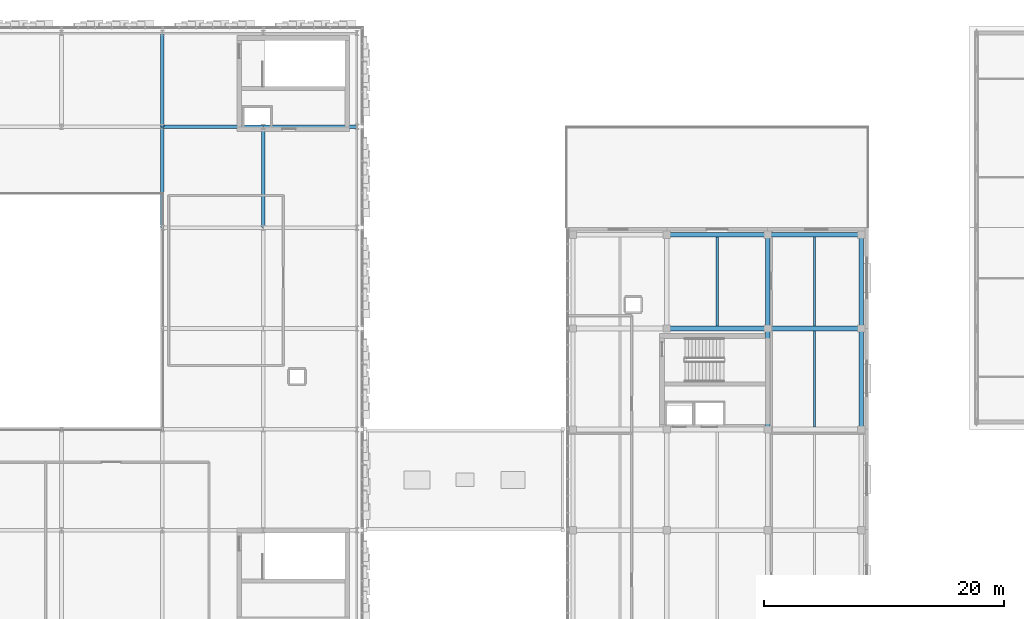
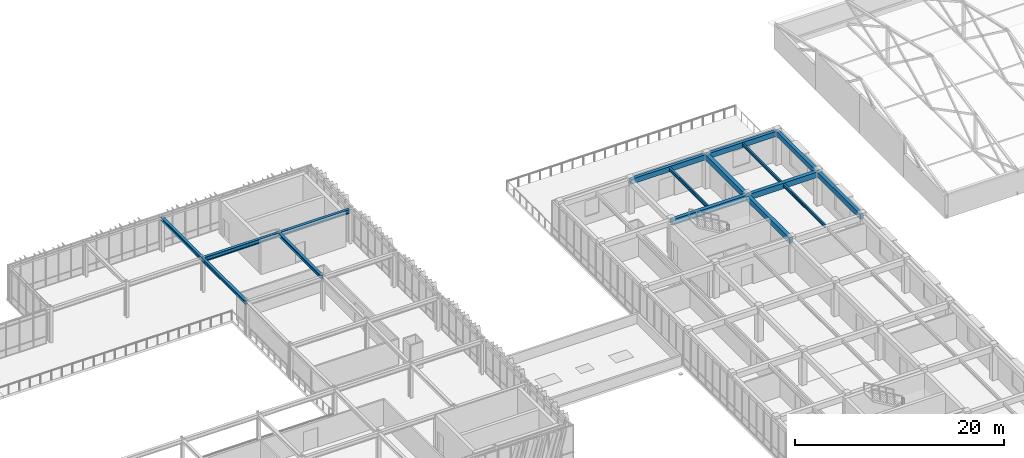
# One storey, part 61 of 123: 16 beams.
"""IFC4 building model written with IfcOpenShell, lengths in metres."""

from ifc_helpers import new_model, si_unit, direction, frame, origin, origin_2d, place, context, subcontext, project, spatial, rectangle, i_section, extrude, material, material_profile, profile_set, type_object, element, save


model = new_model("IFC4")

# Units and contexts
model_context = context("Model", 3, precision=1e-05, world=origin(), true_north=direction((0.0, 1.0)))
body_context = subcontext(model_context, "Body", "Model", "MODEL_VIEW")
ifc_project = project(units=[si_unit("LENGTHUNIT", "METRE"), si_unit("AREAUNIT", "SQUARE_METRE"), si_unit("VOLUMEUNIT", "CUBIC_METRE"), si_unit("PLANEANGLEUNIT", "RADIAN"), si_unit("MASSUNIT", "GRAM", prefix="KILO")], contexts=[model_context])

# Site, building, storey
site_placement = place(None, origin())
site = spatial("IfcSite", under=ifc_project, at=site_placement, CompositionType="ELEMENT")
building_placement = place(site_placement, origin())
building = spatial("IfcBuilding", under=site, at=building_placement, Name="Zayran Congress Hotel", CompositionType="ELEMENT")
storey_placement = place(building_placement, frame((0.0, 0.0, 15.0)))
storey = spatial("IfcBuildingStorey", under=building, at=storey_placement, Name="L03", CompositionType="ELEMENT", Elevation=15.0)

# Beams
ifc_material_1 = material(Name="Concrete C40/50", Category="concrete")
ifc_material_profile_1 = material_profile(ifc_material_1, rectangle(XDim=0.39990234375, YDim=0.64990234375, at=origin_2d()), Name="RC 400x650")
ifc_profile_set_1 = profile_set([ifc_material_profile_1], Name="Concrete C40/50")
beam_type_1 = type_object("IfcBeamType", Name="TP-BM-03", PredefinedType="BEAM", material=ifc_profile_set_1)
beam_1_placement = place(storey_placement, frame((117.60009765625, 92.800048828125, 3.594970703125), z_axis=(1.0, 0.0, 0.0), x_axis=(0.0, 1.0, 0.0)))
element("IfcBeam", 1, at=beam_1_placement, inside=storey, type_object=beam_type_1, Name="BM-V4-L03-1510", PredefinedType="BEAM", context=body_context, shape_type="SweptSolid", body=[
    extrude(rectangle(XDim=0.39990234375, YDim=0.64990234375, at=origin_2d()), origin(), (0.0, 0.0, 1.0), 8.39990234375),
])
beam_2_placement = place(storey_placement, frame((126.0, 92.800048828125, 3.594970703125), z_axis=(1.0, 0.0, 0.0), x_axis=(0.0, 1.0, 0.0)))
element("IfcBeam", 2, at=beam_2_placement, inside=storey, type_object=beam_type_1, Name="BM-V4-L03-1511", PredefinedType="BEAM", context=body_context, shape_type="SweptSolid", body=[
    extrude(rectangle(XDim=0.39990234375, YDim=0.64990234375, at=origin_2d()), origin(), (0.0, 0.0, 1.0), 7.800048828125),
])
beam_3_placement = place(storey_placement, frame((126.0, 84.39990234375, 3.594970703125), z_axis=(0.0, 1.0, 0.0), x_axis=(-1.0, 0.0, 0.0)))
element("IfcBeam", 3, at=beam_3_placement, inside=storey, type_object=beam_type_1, Name="BM-V4-L03-1532", PredefinedType="BEAM", context=body_context, shape_type="SweptSolid", body=[
    extrude(rectangle(XDim=0.39990234375, YDim=0.64990234375, at=origin_2d()), origin(), (0.0, 0.0, 1.0), 8.400146484375),
])
beam_4_placement = place(storey_placement, frame((126.0, 92.800048828125, 3.594970703125), z_axis=(0.0, 1.0, 0.0), x_axis=(-1.0, 0.0, 0.0)))
element("IfcBeam", 4, at=beam_4_placement, inside=storey, type_object=beam_type_1, Name="BM-V4-L03-1533", PredefinedType="BEAM", context=body_context, shape_type="SweptSolid", body=[
    extrude(rectangle(XDim=0.39990234375, YDim=0.64990234375, at=origin_2d()), origin(), (0.0, 0.0, 1.0), 7.800048828125),
])
ifc_material_profile_2 = material_profile(ifc_material_1, rectangle(XDim=0.35009765625, YDim=0.60009765625, at=origin_2d()), Name="RC 350x600")
ifc_profile_set_2 = profile_set([ifc_material_profile_2], Name="Concrete C40/50")
beam_type_2 = type_object("IfcBeamType", Name="TP-SP-01", PredefinedType="SPANDREL", material=ifc_profile_set_2)
beam_5_placement = place(storey_placement, frame((117.60009765625, 100.60009765625, 3.6201171875), z_axis=(1.0, 0.0, 0.0), x_axis=(0.0, 1.0, 0.0)))
element("IfcBeam", 5, at=beam_5_placement, inside=storey, type_object=beam_type_2, Name="BM-V4-L03-1513", PredefinedType="SPANDREL", context=body_context, shape_type="SweptSolid", body=[
    extrude(rectangle(XDim=0.35009765625, YDim=0.60009765625, at=origin_2d()), origin(), (0.0, 0.0, 1.0), 8.39990234375),
])
beam_6_placement = place(storey_placement, frame((126.0, 100.60009765625, 3.6201171875), z_axis=(1.0, 0.0, 0.0), x_axis=(0.0, 1.0, 0.0)))
element("IfcBeam", 6, at=beam_6_placement, inside=storey, type_object=beam_type_2, Name="BM-V4-L03-1514", PredefinedType="SPANDREL", context=body_context, shape_type="SweptSolid", body=[
    extrude(rectangle(XDim=0.35009765625, YDim=0.60009765625, at=origin_2d()), origin(), (0.0, 0.0, 1.0), 7.800048828125),
])
beam_7_placement = place(storey_placement, frame((133.800048828125, 84.39990234375, 3.6201171875), z_axis=(0.0, 1.0, 0.0), x_axis=(-1.0, 0.0, 0.0)))
element("IfcBeam", 7, at=beam_7_placement, inside=storey, type_object=beam_type_2, Name="BM-V4-L03-1539", PredefinedType="SPANDREL", context=body_context, shape_type="SweptSolid", body=[
    extrude(rectangle(XDim=0.35009765625, YDim=0.60009765625, at=origin_2d()), origin(), (0.0, 0.0, 1.0), 8.400146484375),
])
beam_8_placement = place(storey_placement, frame((133.800048828125, 92.800048828125, 3.6201171875), z_axis=(0.0, 1.0, 0.0), x_axis=(-1.0, 0.0, 0.0)))
element("IfcBeam", 8, at=beam_8_placement, inside=storey, type_object=beam_type_2, Name="BM-V4-L03-1540", PredefinedType="SPANDREL", context=body_context, shape_type="SweptSolid", body=[
    extrude(rectangle(XDim=0.35009765625, YDim=0.60009765625, at=origin_2d()), origin(), (0.0, 0.0, 1.0), 7.800048828125),
])
ifc_material_2 = material(Name="Steel S355", Category="steel")
ifc_material_profile_3 = material_profile(ifc_material_2, i_section(OverallWidth=0.300048828125, OverallDepth=0.489990234375, WebThickness=0.011962890625, FlangeThickness=0.02294921875, at=origin_2d()), Name="HEA 500")
ifc_profile_set_3 = profile_set([ifc_material_profile_3], Name="Steel S355")
beam_type_3 = type_object("IfcBeamType", Name="TP-BM-05", PredefinedType="BEAM", material=ifc_profile_set_3)
beam_9_placement = place(storey_placement, frame((75.60009765625, 109.60009765625, 3.735107421875), z_axis=(1.0, 0.0, 0.0), x_axis=(0.0, 1.0, 0.0)))
element("IfcBeam", 9, at=beam_9_placement, inside=storey, type_object=beam_type_3, Name="BM-V1-L03-0837", PredefinedType="BEAM", context=body_context, shape_type="SweptSolid", body=[
    extrude(i_section(OverallWidth=0.300048828125, OverallDepth=0.489990234375, WebThickness=0.011962890625, FlangeThickness=0.02294921875, at=origin_2d()), origin(), (0.0, 0.0, 1.0), 8.39990234375),
])
beam_10_placement = place(storey_placement, frame((84.0, 109.60009765625, 3.735107421875), z_axis=(1.0, 0.0, 0.0), x_axis=(0.0, 1.0, 0.0)))
element("IfcBeam", 10, at=beam_10_placement, inside=storey, type_object=beam_type_3, Name="BM-V1-L03-0838", PredefinedType="BEAM", context=body_context, shape_type="SweptSolid", body=[
    extrude(i_section(OverallWidth=0.300048828125, OverallDepth=0.489990234375, WebThickness=0.011962890625, FlangeThickness=0.02294921875, at=origin_2d()), origin(), (0.0, 0.0, 1.0), 7.800048828125),
])
ifc_material_profile_4 = material_profile(ifc_material_2, i_section(OverallWidth=0.300048828125, OverallDepth=0.389892578125, WebThickness=0.010986328125, FlangeThickness=0.01904296875, at=origin_2d()), Name="HEA 400")
ifc_profile_set_4 = profile_set([ifc_material_profile_4], Name="Steel S355")
beam_type_4 = type_object("IfcBeamType", Name="TP-BM-06", PredefinedType="BEAM", material=ifc_profile_set_4)
beam_11_placement = place(storey_placement, frame((75.60009765625, 101.199951171875, 3.784912109375), z_axis=(0.0, 1.0, 0.0), x_axis=(-1.0, 0.0, 0.0)))
element("IfcBeam", 11, at=beam_11_placement, inside=storey, type_object=beam_type_4, Name="BM-V1-L03-0884", PredefinedType="BEAM", context=body_context, shape_type="SweptSolid", body=[
    extrude(i_section(OverallWidth=0.300048828125, OverallDepth=0.389892578125, WebThickness=0.010986328125, FlangeThickness=0.01904296875, at=origin_2d()), origin(), (0.0, 0.0, 1.0), 8.400146484375),
])
beam_12_placement = place(storey_placement, frame((75.60009765625, 109.60009765625, 3.784912109375), z_axis=(0.0, 1.0, 0.0), x_axis=(-1.0, 0.0, 0.0)))
element("IfcBeam", 12, at=beam_12_placement, inside=storey, type_object=beam_type_4, Name="BM-V1-L03-0885", PredefinedType="BEAM", context=body_context, shape_type="SweptSolid", body=[
    extrude(i_section(OverallWidth=0.300048828125, OverallDepth=0.389892578125, WebThickness=0.010986328125, FlangeThickness=0.01904296875, at=origin_2d()), origin(), (0.0, 0.0, 1.0), 7.7998046875),
])
beam_13_placement = place(storey_placement, frame((84.0, 101.199951171875, 3.784912109375), z_axis=(0.0, 1.0, 0.0), x_axis=(-1.0, 0.0, 0.0)))
element("IfcBeam", 13, at=beam_13_placement, inside=storey, type_object=beam_type_4, Name="BM-V1-L03-0889", PredefinedType="BEAM", context=body_context, shape_type="SweptSolid", body=[
    extrude(i_section(OverallWidth=0.300048828125, OverallDepth=0.389892578125, WebThickness=0.010986328125, FlangeThickness=0.01904296875, at=origin_2d()), origin(), (0.0, 0.0, 1.0), 8.400146484375),
])
ifc_material_profile_5 = material_profile(ifc_material_2, i_section(OverallWidth=0.179931640625, OverallDepth=0.39990234375, WebThickness=0.008544921875, FlangeThickness=0.013427734375, at=origin_2d()), Name="IPE 400")
ifc_profile_set_5 = profile_set([ifc_material_profile_5], Name="Steel S355")
beam_type_5 = type_object("IfcBeamType", Name="TP-JS-03", PredefinedType="JOIST", material=ifc_profile_set_5)
beam_14_placement = place(storey_placement, frame((121.800048828125, 93.0, 3.719970703125), z_axis=(0.0, 1.0, 0.0), x_axis=(-1.0, 0.0, 0.0)))
element("IfcBeam", 14, at=beam_14_placement, inside=storey, type_object=beam_type_5, Name="JST-V4-L03-1552", PredefinedType="JOIST", context=body_context, shape_type="SweptSolid", body=[
    extrude(i_section(OverallWidth=0.179931640625, OverallDepth=0.39990234375, WebThickness=0.008544921875, FlangeThickness=0.013427734375, at=origin_2d()), origin(), (0.0, 0.0, 1.0), 7.425048828125),
])
ifc_material_profile_6 = material_profile(ifc_material_2, i_section(OverallWidth=0.169921875, OverallDepth=0.360107421875, WebThickness=0.008056640625, FlangeThickness=0.0126953125, at=origin_2d()), Name="IPE 360")
ifc_profile_set_6 = profile_set([ifc_material_profile_6], Name="Steel S355")
beam_type_6 = type_object("IfcBeamType", Name="TP-JS-04", PredefinedType="JOIST", material=ifc_profile_set_6)
beam_15_placement = place(storey_placement, frame((129.89990234375, 84.60009765625, 3.739990234375), z_axis=(0.0, 1.0, 0.0), x_axis=(-1.0, 0.0, 0.0)))
element("IfcBeam", 15, at=beam_15_placement, inside=storey, type_object=beam_type_6, Name="JST-V4-L03-1558", PredefinedType="JOIST", context=body_context, shape_type="SweptSolid", body=[
    extrude(i_section(OverallWidth=0.169921875, OverallDepth=0.360107421875, WebThickness=0.008056640625, FlangeThickness=0.0126953125, at=origin_2d()), origin(), (0.0, 0.0, 1.0), 8.0),
])
beam_16_placement = place(storey_placement, frame((129.89990234375, 93.0, 3.739990234375), z_axis=(0.0, 1.0, 0.0), x_axis=(-1.0, 0.0, 0.0)))
element("IfcBeam", 16, at=beam_16_placement, inside=storey, type_object=beam_type_6, Name="JST-V4-L03-1559", PredefinedType="JOIST", context=body_context, shape_type="SweptSolid", body=[
    extrude(i_section(OverallWidth=0.169921875, OverallDepth=0.360107421875, WebThickness=0.008056640625, FlangeThickness=0.0126953125, at=origin_2d()), origin(), (0.0, 0.0, 1.0), 7.425048828125),
])

save(model, "model.ifc")
